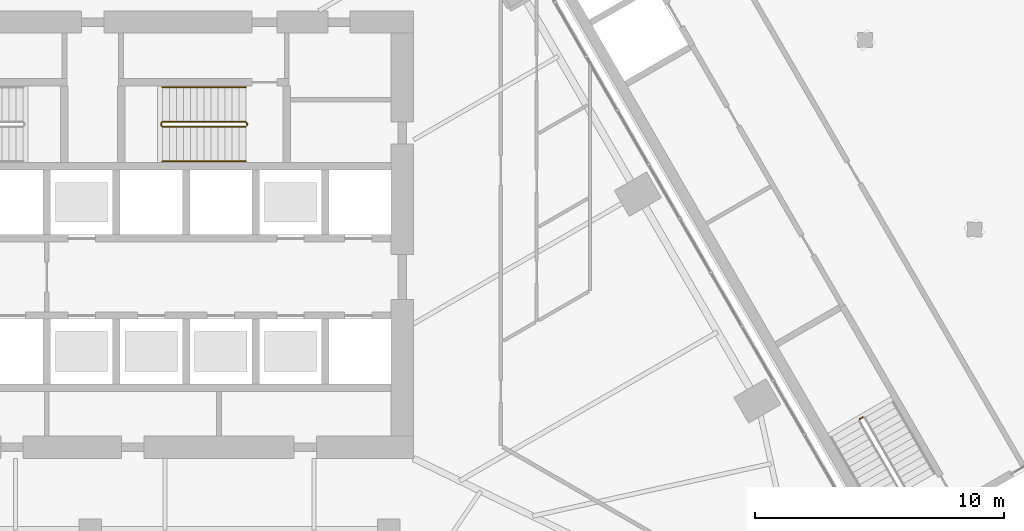
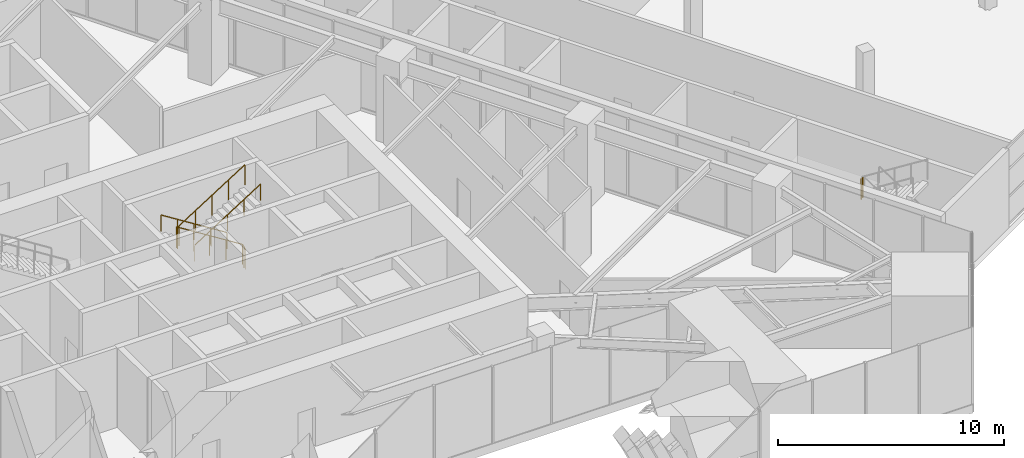
# One storey, part 24 of 30: 4 railings.
"""IFC4 building model written with IfcOpenShell, lengths in metres."""

from ifc_helpers import new_model, si_unit, direction, frame, origin, origin_2d, place, context, subcontext, project, spatial, circle, extrude, material, type_object, element, save


model = new_model("IFC4")

# Units and contexts
model_context = context("Model", 3, precision=1e-05, world=origin(), true_north=direction((0.0, 1.0)))
body_context = subcontext(model_context, "Body", "Model", "MODEL_VIEW")
ifc_project = project(units=[si_unit("LENGTHUNIT", "METRE"), si_unit("AREAUNIT", "SQUARE_METRE"), si_unit("VOLUMEUNIT", "CUBIC_METRE"), si_unit("PLANEANGLEUNIT", "RADIAN"), si_unit("MASSUNIT", "GRAM", prefix="KILO")], contexts=[model_context])

# Site, building, storey
site_placement = place(None, origin())
site = spatial("IfcSite", under=ifc_project, at=site_placement, CompositionType="ELEMENT")
building_placement = place(site_placement, origin())
building = spatial("IfcBuilding", under=site, at=building_placement, Name="Firuza Gate Tower and Library", CompositionType="ELEMENT")
storey_placement = place(building_placement, frame((0.0, 0.0, 12.60009765625)))
storey = spatial("IfcBuildingStorey", under=building, at=storey_placement, Name="L02", CompositionType="ELEMENT", Elevation=12.60009765625)

# Railings
ifc_material_1 = material(Name="Steel S355", Category="steel")
railing_type_1 = type_object("IfcRailingType", Name="LIB GUARD", PredefinedType="GUARDRAIL", material=ifc_material_1)
railing_1_placement = place(storey_placement, frame((106.066650390625, 67.659912109375, 2.2998046875)))
element("IfcRailing", 1, at=railing_1_placement, inside=storey, type_object=railing_type_1, Name="L02 LIB-ST-B stair guard 2", PredefinedType="GUARDRAIL", context=body_context, shape_type="SweptSolid", body=[
    extrude(circle(Radius=0.02392578125, at=origin_2d()), frame((0.0, 0.0, 1.076171875), z_axis=(-0.866131372301, -0.499816412211, 0.0), x_axis=(0.499816412211, -0.866131372301, 0.0)), (0.0, 0.0, 1.0), 0.14990234375),
    extrude(circle(Radius=0.02099609375, at=origin_2d()), origin(), (0.0, 0.0, 1.0), 1.052001953125),
    extrude(circle(Radius=0.02099609375, at=origin_2d()), frame((-0.1298828125, -0.074951171875, 0.0)), (0.0, 0.0, 1.0), 1.052001953125),
])
ifc_material_2 = material(Name="Steel S355", Category="steel")
railing_type_2 = type_object("IfcRailingType", Name="Stair guard 1100", PredefinedType="GUARDRAIL", material=ifc_material_2)
railing_2_placement = place(storey_placement, frame((81.31005859375, 79.489990234375, 0.0)))
element("IfcRailing", 2, at=railing_2_placement, inside=storey, type_object=railing_type_2, Name="L02 ST2 stair guard 1", PredefinedType="GUARDRAIL", context=body_context, shape_type="SweptSolid", body=[
    extrude(circle(Radius=0.02392578125, at=origin_2d()), frame((0.0, 0.0, 1.076171875), z_axis=(0.0, -1.0, 0.0), x_axis=(1.0, 0.0, 0.0)), (0.0, 0.0, 1.0), 0.10009765625),
    extrude(circle(Radius=0.02392578125, at=origin_2d()), frame((0.0, -0.10009765625, 1.076171875), z_axis=(-0.210945319554, 0.632835958663, 0.744997128572), x_axis=(-0.948683298051, -0.316227766017, 0.0)), (0.0, 0.0, 1.0), 0.2373046875),
    extrude(circle(Radius=0.02392578125, at=origin_2d()), frame((-0.050048828125, 0.050048828125, 1.2529296875), z_axis=(-0.845389635667, 0.0, 0.534150132366), x_axis=(0.0, -1.0, 0.0)), (0.0, 0.0, 1.0), 3.974609375),
    extrude(circle(Radius=0.02392578125, at=origin_2d()), frame((-3.41015625, 0.050048828125, 3.3759765625), z_axis=(-0.705375805398, -0.708833529934, 0.0), x_axis=(0.708833529934, -0.705375805398, 0.0)), (0.0, 0.0, 1.0), 0.070556640625),
    extrude(circle(Radius=0.02392578125, at=origin_2d()), frame((-3.4599609375, 0.0, 3.3759765625), z_axis=(0.0, -1.0, 0.0), x_axis=(1.0, 0.0, 0.0)), (0.0, 0.0, 1.0), 0.10009765625),
    extrude(circle(Radius=0.02392578125, at=origin_2d()), frame((-3.4599609375, -0.10009765625, 3.3759765625), z_axis=(0.261440289461, -0.261440289461, 0.929138283623), x_axis=(0.707106781187, 0.707106781187, 0.0)), (0.0, 0.0, 1.0), 0.1904296875),
    extrude(circle(Radius=0.02392578125, at=origin_2d()), frame((-3.41015625, -0.14990234375, 3.552734375), z_axis=(0.845389635667, 0.0, 0.534150132366), x_axis=(0.0, 1.0, 0.0)), (0.0, 0.0, 1.0), 3.974609375),
    extrude(circle(Radius=0.02099609375, at=origin_2d()), origin(), (0.0, 0.0, 1.0), 1.052001953125),
    extrude(circle(Radius=0.02099609375, at=origin_2d()), frame((0.0, -0.10009765625, 0.0)), (0.0, 0.0, 1.0), 1.052001953125),
    extrude(circle(Radius=0.02099609375, at=origin_2d()), frame((-0.050048828125, 0.050048828125, 0.1767578125)), (0.0, 0.0, 1.0), 1.052001953125),
    extrude(circle(Radius=0.02099609375, at=origin_2d()), frame((-0.89013671875, 0.050048828125, 0.70751953125)), (0.0, 0.0, 1.0), 1.052001953125),
    extrude(circle(Radius=0.02099609375, at=origin_2d()), frame((-1.72998046875, 0.050048828125, 1.23828125)), (0.0, 0.0, 1.0), 1.052001953125),
    extrude(circle(Radius=0.02099609375, at=origin_2d()), frame((-2.570068359375, 0.050048828125, 1.76904296875)), (0.0, 0.0, 1.0), 1.052001953125),
    extrude(circle(Radius=0.02099609375, at=origin_2d()), frame((-3.41015625, 0.050048828125, 2.2998046875)), (0.0, 0.0, 1.0), 1.052001953125),
    extrude(circle(Radius=0.02099609375, at=origin_2d()), frame((-3.4599609375, 0.0, 2.2998046875)), (0.0, 0.0, 1.0), 1.052001953125),
    extrude(circle(Radius=0.02099609375, at=origin_2d()), frame((-3.4599609375, -0.10009765625, 2.2998046875)), (0.0, 0.0, 1.0), 1.052001953125),
    extrude(circle(Radius=0.02099609375, at=origin_2d()), frame((-3.41015625, -0.14990234375, 2.476806640625)), (0.0, 0.0, 1.0), 1.052001953125),
    extrude(circle(Radius=0.02099609375, at=origin_2d()), frame((-2.570068359375, -0.14990234375, 3.007568359375)), (0.0, 0.0, 1.0), 1.052001953125),
    extrude(circle(Radius=0.02099609375, at=origin_2d()), frame((-1.72998046875, -0.14990234375, 3.538330078125)), (0.0, 0.0, 1.0), 1.052001953125),
    extrude(circle(Radius=0.02099609375, at=origin_2d()), frame((-0.89013671875, -0.14990234375, 4.069091796875)), (0.0, 0.0, 1.0), 1.052001953125),
    extrude(circle(Radius=0.02099609375, at=origin_2d()), frame((-0.050048828125, -0.14990234375, 4.599853515625)), (0.0, 0.0, 1.0), 1.052001953125),
])
ifc_material_3 = material(Name="Steel S355", Category="steel")
railing_type_3 = type_object("IfcRailingType", Name="Stair handrail 900", PredefinedType="HANDRAIL", material=ifc_material_3)
railing_3_placement = place(storey_placement, frame((81.260009765625, 80.929931640625, 0.1767578125)))
element("IfcRailing", 3, at=railing_3_placement, inside=storey, type_object=railing_type_3, Name="L02 ST2 stair handrail 1", PredefinedType="HANDRAIL", context=body_context, shape_type="SweptSolid", body=[
    extrude(circle(Radius=0.02392578125, at=origin_2d()), frame((0.0, 0.0, 0.8759765625), z_axis=(-0.845389635667, 0.0, 0.534150132366), x_axis=(0.0, -1.0, 0.0)), (0.0, 0.0, 1.0), 3.974609375),
    extrude(circle(Radius=0.02099609375, at=origin_2d()), origin(), (0.0, 0.0, 1.0), 0.851806640625),
    extrude(circle(Radius=0.02099609375, at=origin_2d()), frame((-0.840087890625, 0.0, 0.53076171875)), (0.0, 0.0, 1.0), 0.851806640625),
    extrude(circle(Radius=0.02099609375, at=origin_2d()), frame((-1.68017578125, 0.0, 1.0615234375)), (0.0, 0.0, 1.0), 0.851806640625),
    extrude(circle(Radius=0.02099609375, at=origin_2d()), frame((-2.52001953125, 0.0, 1.59228515625)), (0.0, 0.0, 1.0), 0.851806640625),
    extrude(circle(Radius=0.02099609375, at=origin_2d()), frame((-3.360107421875, 0.0, 2.123046875)), (0.0, 0.0, 1.0), 0.851806640625),
])
railing_4_placement = place(storey_placement, frame((77.89990234375, 77.949951171875, 2.476806640625)))
element("IfcRailing", 4, at=railing_4_placement, inside=storey, type_object=railing_type_3, Name="L02 ST2 stair handrail 2", PredefinedType="HANDRAIL", context=body_context, shape_type="SweptSolid", body=[
    extrude(circle(Radius=0.02392578125, at=origin_2d()), frame((0.0, 0.0, 0.8759765625), z_axis=(0.845389635667, 0.0, 0.534150132366), x_axis=(0.0, 1.0, 0.0)), (0.0, 0.0, 1.0), 3.974609375),
    extrude(circle(Radius=0.02099609375, at=origin_2d()), origin(), (0.0, 0.0, 1.0), 0.851806640625),
    extrude(circle(Radius=0.02099609375, at=origin_2d()), frame((0.840087890625, 0.0, 0.53076171875)), (0.0, 0.0, 1.0), 0.851806640625),
    extrude(circle(Radius=0.02099609375, at=origin_2d()), frame((1.68017578125, 0.0, 1.0615234375)), (0.0, 0.0, 1.0), 0.851806640625),
    extrude(circle(Radius=0.02099609375, at=origin_2d()), frame((2.52001953125, 0.0, 1.59228515625)), (0.0, 0.0, 1.0), 0.851806640625),
    extrude(circle(Radius=0.02099609375, at=origin_2d()), frame((3.360107421875, 0.0, 2.123046875)), (0.0, 0.0, 1.0), 0.851806640625),
])

save(model, "model.ifc")
